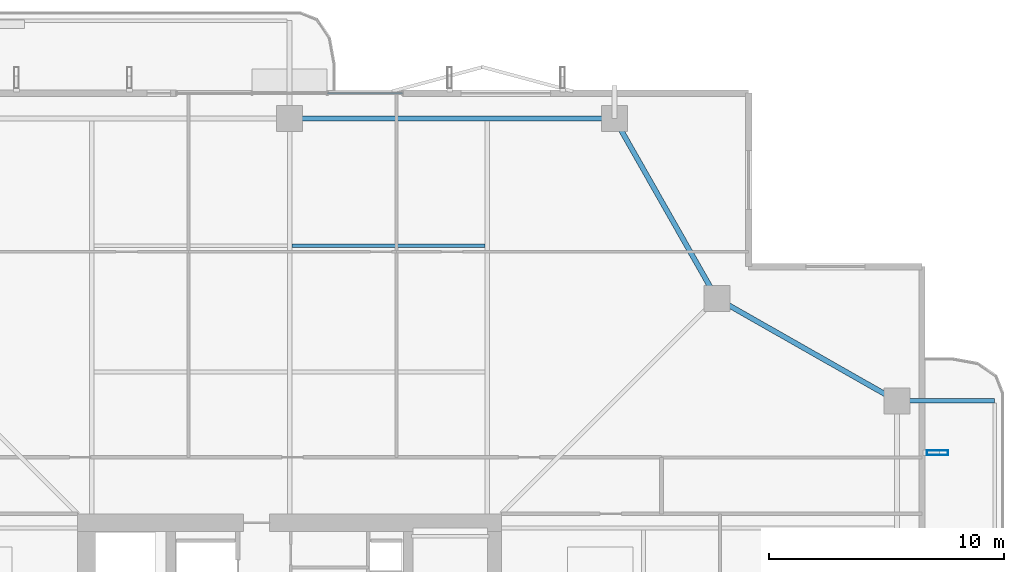
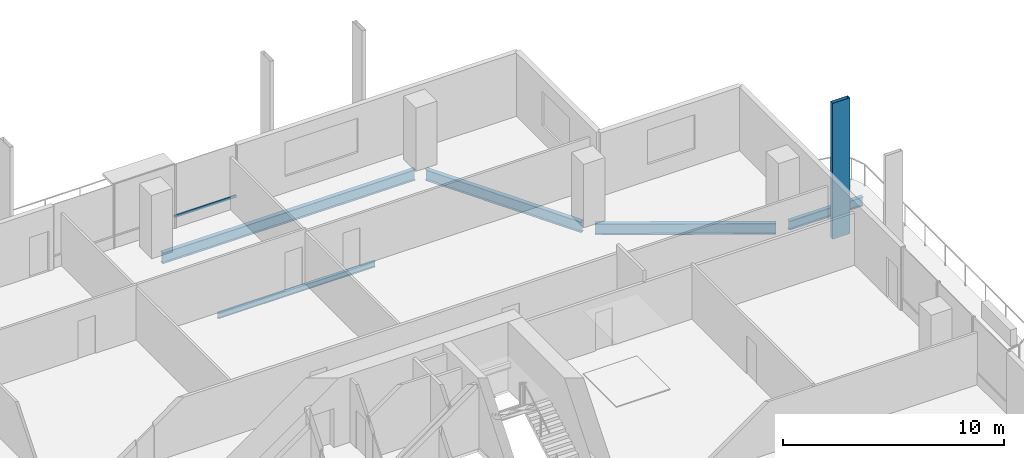
# One storey, part 14 of 24: 5 beams, 2 members, 1 element without a shape of its own.
"""IFC4 building model written with IfcOpenShell, lengths in metres."""

from ifc_helpers import new_model, si_unit, direction, frame, origin, origin_2d, place, context, subcontext, project, spatial, hollow_rectangle, i_section, extrude, material, layer, layer_set, material_profile, profile_set, type_object, element, aggregate, save


model = new_model("IFC4")

# Units and contexts
model_context = context("Model", 3, precision=1e-05, world=origin(), true_north=direction((0.0, 1.0)))
body_context = subcontext(model_context, "Body", "Model", "MODEL_VIEW")
ifc_project = project(units=[si_unit("LENGTHUNIT", "METRE"), si_unit("AREAUNIT", "SQUARE_METRE"), si_unit("VOLUMEUNIT", "CUBIC_METRE"), si_unit("PLANEANGLEUNIT", "RADIAN"), si_unit("MASSUNIT", "GRAM", prefix="KILO")], contexts=[model_context])

# Site, building, storey
site_placement = place(None, origin())
site = spatial("IfcSite", under=ifc_project, at=site_placement, CompositionType="ELEMENT")
building_placement = place(site_placement, origin())
building = spatial("IfcBuilding", under=site, at=building_placement, Name="Belovzor Exchange Tower", CompositionType="ELEMENT")
storey_placement = place(building_placement, frame((0.0, 0.0, 233.699951171875)))
storey = spatial("IfcBuildingStorey", under=building, at=storey_placement, Name="L58", CompositionType="ELEMENT", Elevation=233.699951171875)

# Beams
ifc_material_1 = material(Name="Steel S355", Category="steel")
ifc_material_profile_1 = material_profile(ifc_material_1, i_section(OverallWidth=0.199951171875, OverallDepth=0.5, WebThickness=0.01025390625, FlangeThickness=0.01611328125, at=origin_2d()))
ifc_profile_set_1 = profile_set([ifc_material_profile_1], Name="Steel S355")
beam_type_1 = type_object("IfcBeamType", Name="Planted Balcony Cantilever Beam IPE 500", PredefinedType="BEAM", material=ifc_profile_set_1)
beam_1_placement = place(storey_placement, frame((54.903076171875, 42.60009765625, -0.5), z_axis=(1.0, 0.0, 0.0), x_axis=(0.0, 1.0, 0.0)))
element("IfcBeam", 1, at=beam_1_placement, inside=storey, type_object=beam_type_1, Name="BC-500 Planted Balcony Cantilever Beam IPE 500", PredefinedType="BEAM", context=body_context, shape_type="SweptSolid", body=[
    extrude(i_section(OverallWidth=0.199951171875, OverallDepth=0.5, WebThickness=0.01025390625, FlangeThickness=0.01611328125, at=origin_2d()), origin(), (0.0, 0.0, 1.0), 3.849853515625),
])
ifc_material_2 = material(Name="Steel S355", Category="steel")
ifc_material_profile_2 = material_profile(ifc_material_2, i_section(OverallWidth=0.14990234375, OverallDepth=0.300048828125, WebThickness=0.007080078125, FlangeThickness=0.0107421875, at=origin_2d()))
ifc_profile_set_2 = profile_set([ifc_material_profile_2], Name="Steel S355")
beam_type_2 = type_object("IfcBeamType", Name="Secondary Trim Floor Joist IPE 300", PredefinedType="BEAM", material=ifc_profile_set_2)
beam_2_placement = place(storey_placement, frame((28.89501953125, 49.18701171875, -0.39990234375), z_axis=(1.0, 0.0, 0.0), x_axis=(0.0, 1.0, 0.0)))
element("IfcBeam", 2, at=beam_2_placement, inside=storey, type_object=beam_type_2, Name="FJ-300 Secondary Trim Floor Joist IPE 300", PredefinedType="BEAM", context=body_context, shape_type="SweptSolid", body=[
    extrude(i_section(OverallWidth=0.14990234375, OverallDepth=0.300048828125, WebThickness=0.007080078125, FlangeThickness=0.0107421875, at=origin_2d()), origin(), (0.0, 0.0, 1.0), 8.2099609375),
])

# Member
ifc_material_3 = material(Name="Extruded Architectural Terracotta on Steel S355 Carrier", Category="masonry")
ifc_material_profile_3 = material_profile(ifc_material_3, hollow_rectangle(XDim=0.199951171875, YDim=0.89990234375, WallThickness=0.011962890625, at=origin_2d()))
ifc_profile_set_3 = profile_set([ifc_material_profile_3], Name="Extruded Architectural Terracotta on Steel S355 Carrier")
member_type_1 = type_object("IfcMemberType", Name="Sweeping Terracotta Baguette Fin Assembly 950", PredefinedType="USERDEFINED", material=ifc_profile_set_3)
member_1_placement = place(storey_placement, frame((56.324951171875, 40.39990234375, -0.25), z_axis=(0.0, 0.0, 1.0), x_axis=(0.0, 1.0, 0.0)))
element("IfcMember", 3, at=member_1_placement, inside=storey, type_object=member_type_1, Name="FIN-TC095 Terracotta Facade Fin L58 E4", ObjectType="FIN", PredefinedType="USERDEFINED", context=body_context, shape_type="SweptSolid", body=[
    extrude(hollow_rectangle(XDim=0.199951171875, YDim=0.89990234375, WallThickness=0.011962890625, at=origin_2d()), origin(), (0.0, 0.0, 1.0), 7.5),
])

# Curtain wall, member
ifc_material_4 = material(Name="Anodised Aluminium Framing", Category="aluminium")
ifc_layer = layer(ifc_material_4, 0.179931640625)
ifc_layer_set = layer_set([ifc_layer], Name="Anodised Aluminium Framing")
curtain_wall_type = type_object("IfcCurtainWallType", Name="Recessed Loggia Low-Iron Triple-Glazed Curtain Wall", PredefinedType="NOTDEFINED", material=ifc_layer_set)
curtain_wall_placement = place(storey_placement, origin())
curtain_wall = element("IfcCurtainWall", 4, at=curtain_wall_placement, inside=storey, type_object=curtain_wall_type, Name="CW3 Recessed Loggia Low-Iron Triple-Glazed Curtain Wall L58", PredefinedType="NOTDEFINED")
ifc_material_5 = material(Name="Steel S355", Category="steel")
ifc_material_profile_4 = material_profile(ifc_material_5, hollow_rectangle(XDim=0.06005859375, YDim=0.14990234375, WallThickness=0.00390625, at=origin_2d()))
ifc_profile_set_4 = profile_set([ifc_material_profile_4], Name="Steel S355")
member_type_2 = type_object("IfcMemberType", Name="Thermally Broken Curtain Wall Transom 150x60", PredefinedType="USERDEFINED", material=ifc_profile_set_4)
member_2_placement = place(storey_placement, frame((30.407958984375, 55.669921875, 0.630126953125), z_axis=(1.0, 0.0, 0.0), x_axis=(0.0, 1.0, 0.0)))
member_2 = element("IfcMember", 5, at=member_2_placement, type_object=member_type_2, Name="CW-T150 Curtain Wall Transom 3", ObjectType="TRANSOM", PredefinedType="USERDEFINED", context=body_context, shape_type="SweptSolid", body=[
    extrude(hollow_rectangle(XDim=0.06005859375, YDim=0.14990234375, WallThickness=0.00390625, at=origin_2d()), origin(), (0.0, 0.0, 1.0), 3.18408203125),
])
aggregate(curtain_wall, [member_2])

# Beams
ifc_material_6 = material(Name="Steel S355", Category="steel")
ifc_material_profile_5 = material_profile(ifc_material_6, i_section(OverallWidth=0.219970703125, OverallDepth=0.60009765625, WebThickness=0.011962890625, FlangeThickness=0.01904296875, at=origin_2d()))
ifc_profile_set_5 = profile_set([ifc_material_profile_5], Name="Steel S355")
beam_type_3 = type_object("IfcBeamType", Name="Zone 4 Flare Primary Girder IPE 600", PredefinedType="BEAM", material=ifc_profile_set_5)
for number, where, z_axis, x_axis, name in (
    (6, (54.3369140625, 42.75, -0.550048828125), (-0.869335547884, 0.494222323641, 0.0), (-0.494222323641, -0.869335547884, 0.0), "FG-Z4 Zone 4 Flare Primary Girder IPE 600"),
    (7, (46.800048828125, 47.212890625, -0.550048828125), (-0.494222323641, 0.869335547884, 0.0), (-0.869335547884, -0.494222323641, 0.0), "FG-Z4 Zone 4 Flare Primary Girder IPE 600"),
):
    element("IfcBeam", number, at=place(storey_placement, frame(where, z_axis=z_axis, x_axis=x_axis)), inside=storey, type_object=beam_type_3, Name=name, PredefinedType="BEAM", context=body_context, shape_type="SweptSolid", body=[
        extrude(i_section(OverallWidth=0.219970703125, OverallDepth=0.60009765625, WebThickness=0.011962890625, FlangeThickness=0.01904296875, at=origin_2d()), origin(), (0.0, 0.0, 1.0), 8.19482421875),
    ])
beam_3_placement = place(storey_placement, frame((42.297119140625, 54.60009765625, -0.550048828125), z_axis=(-1.0, 0.0, 0.0), x_axis=(0.0, -1.0, 0.0)))
element("IfcBeam", 8, at=beam_3_placement, inside=storey, type_object=beam_type_3, Name="FG-Z4 Zone 4 Flare Primary Girder IPE 600", PredefinedType="BEAM", context=body_context, shape_type="SweptSolid", body=[
    extrude(i_section(OverallWidth=0.219970703125, OverallDepth=0.60009765625, WebThickness=0.011962890625, FlangeThickness=0.01904296875, at=origin_2d()), origin(), (0.0, 0.0, 1.0), 13.195068359375),
])

save(model, "model.ifc")
